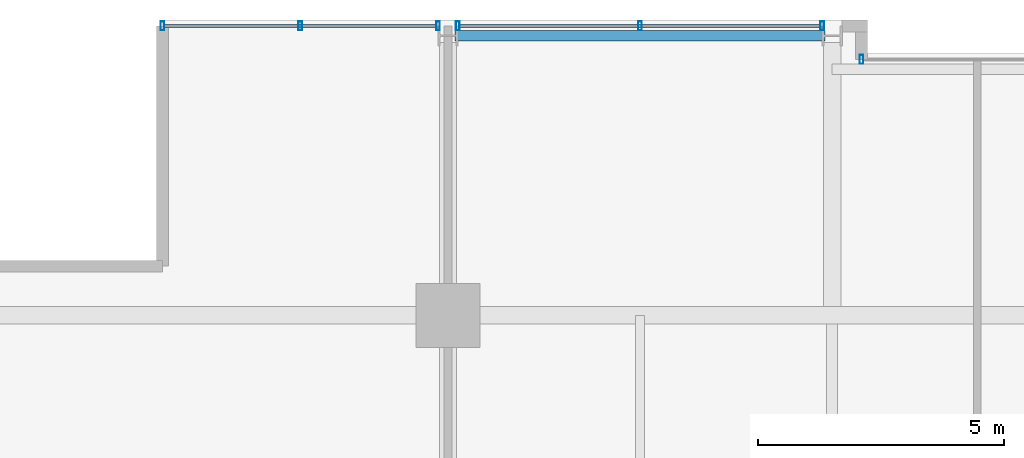
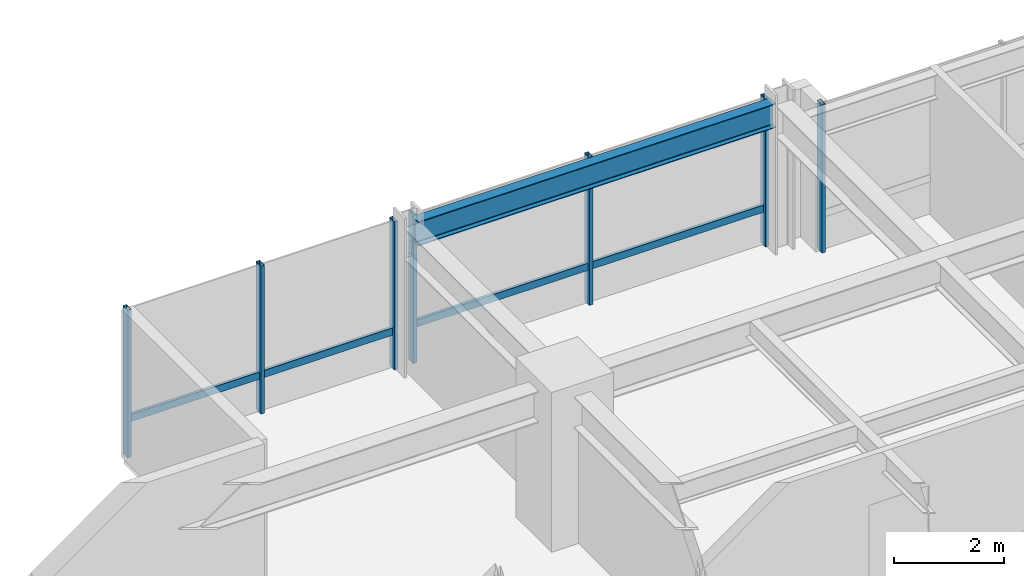
# One storey, part 21 of 33: 9 members, 1 beam, 3 elements without a shape of their own.
"""IFC4 building model written with IfcOpenShell, lengths in metres."""

from ifc_helpers import new_model, si_unit, direction, frame, origin, origin_2d, place, context, subcontext, project, spatial, hollow_rectangle, i_section, extrude, material, layer, layer_set, material_profile, profile_set, type_object, element, aggregate, save


model = new_model("IFC4")

# Units and contexts
model_context = context("Model", 3, precision=1e-05, world=origin(), true_north=direction((0.0, 1.0)))
body_context = subcontext(model_context, "Body", "Model", "MODEL_VIEW")
ifc_project = project(units=[si_unit("LENGTHUNIT", "METRE"), si_unit("AREAUNIT", "SQUARE_METRE"), si_unit("VOLUMEUNIT", "CUBIC_METRE"), si_unit("PLANEANGLEUNIT", "RADIAN"), si_unit("MASSUNIT", "GRAM", prefix="KILO")], contexts=[model_context])

# Site, building, storey
site_placement = place(None, origin())
site = spatial("IfcSite", under=ifc_project, at=site_placement, CompositionType="ELEMENT")
building_placement = place(site_placement, origin())
building = spatial("IfcBuilding", under=site, at=building_placement, Name="Drelvath Grand Hotel", CompositionType="ELEMENT")
storey_placement = place(building_placement, frame((0.0, 0.0, 168.14990234375)))
storey = spatial("IfcBuildingStorey", under=building, at=storey_placement, Name="L43", CompositionType="ELEMENT", Elevation=168.14990234375)

# Curtain wall, member
ifc_material_1 = material(Name="Brushed Pale-Silver Anodised Aluminium Frame", Category="aluminium")
ifc_layer = layer(ifc_material_1, 0.199951171875)
ifc_layer_set = layer_set([ifc_layer], Name="Brushed Pale-Silver Anodised Aluminium Frame")
curtain_wall_type = type_object("IfcCurtainWallType", Name="Stick Curtain Wall CW-04 Brushed Silver Upper-Mid", PredefinedType="NOTDEFINED", material=ifc_layer_set)
curtain_wall_1_placement = place(storey_placement, origin())
curtain_wall_1 = element("IfcCurtainWall", 1, at=curtain_wall_1_placement, inside=storey, type_object=curtain_wall_type, Name="L43 CW-04 Curtain Wall CW04-L43-NW1", PredefinedType="NOTDEFINED")
ifc_material_profile_1 = material_profile(ifc_material_1, hollow_rectangle(XDim=0.06494140625, YDim=0.159912109375, WallThickness=0.00390625, at=origin_2d()), Name="HSS160X65X4")
ifc_profile_set_1 = profile_set([ifc_material_profile_1], Name="Brushed Pale-Silver Anodised Aluminium Frame")
member_type_1 = type_object("IfcMemberType", Name="Curtain Wall Horizontal Transom CW-04 HSS160X65X4", PredefinedType="USERDEFINED", material=ifc_profile_set_1)
member_1_placement = place(storey_placement, frame((-21.9599609375, 49.080078125, 0.822509765625), z_axis=(1.0, 0.0, 0.0), x_axis=(0.0, 1.0, 0.0)))
member_1 = element("IfcMember", 2, at=member_1_placement, type_object=member_type_1, Name="CW04-L43-NW1 Sill Transom", ObjectType="TRANSOM", PredefinedType="USERDEFINED", context=body_context, shape_type="SweptSolid", body=[
    extrude(hollow_rectangle(XDim=0.06494140625, YDim=0.159912109375, WallThickness=0.00390625, at=origin_2d()), origin(), (0.0, 0.0, 1.0), 5.519775390625),
])

curtain_wall_2_placement = place(storey_placement, origin())
curtain_wall_2 = element("IfcCurtainWall", 3, at=curtain_wall_2_placement, inside=storey, type_object=curtain_wall_type, Name="L43 CW-04 Curtain Wall CW04-L43-NW2", PredefinedType="NOTDEFINED")
member_2_placement = place(storey_placement, frame((-15.9599609375, 49.080078125, 0.822509765625), z_axis=(1.0, 0.0, 0.0), x_axis=(0.0, 1.0, 0.0)))
member_2 = element("IfcMember", 4, at=member_2_placement, type_object=member_type_1, Name="CW04-L43-NW2 Sill Transom", ObjectType="TRANSOM", PredefinedType="USERDEFINED", context=body_context, shape_type="SweptSolid", body=[
    extrude(hollow_rectangle(XDim=0.06494140625, YDim=0.159912109375, WallThickness=0.00390625, at=origin_2d()), origin(), (0.0, 0.0, 1.0), 7.31982421875),
])

# Member
ifc_material_profile_2 = material_profile(ifc_material_1, hollow_rectangle(XDim=0.074951171875, YDim=0.179931640625, WallThickness=0.0048828125, at=origin_2d()), Name="HSS180X75X5")
ifc_profile_set_2 = profile_set([ifc_material_profile_2], Name="Brushed Pale-Silver Anodised Aluminium Frame")
member_type_2 = type_object("IfcMemberType", Name="Curtain Wall Vertical Mullion CW-04 HSS180X75X5", PredefinedType="MULLION", material=ifc_profile_set_2)
member_3_placement = place(storey_placement, frame((-22.0, 49.080078125, 0.0), z_axis=(0.0, 0.0, 1.0), x_axis=(1.0, 0.0, 0.0)))
member_3 = element("IfcMember", 5, at=member_3_placement, type_object=member_type_2, Name="CW04-L43-NW1 Mullion 1", PredefinedType="MULLION", context=body_context, shape_type="SweptSolid", body=[
    extrude(hollow_rectangle(XDim=0.074951171875, YDim=0.179931640625, WallThickness=0.0048828125, at=origin_2d()), origin(), (0.0, 0.0, 1.0), 3.2900390625),
])

member_4_placement = place(storey_placement, frame((-19.199951171875, 49.080078125, 0.0), z_axis=(0.0, 0.0, 1.0), x_axis=(1.0, 0.0, 0.0)))
member_4 = element("IfcMember", 6, at=member_4_placement, type_object=member_type_2, Name="CW04-L43-NW1 Mullion 2", PredefinedType="MULLION", context=body_context, shape_type="SweptSolid", body=[
    extrude(hollow_rectangle(XDim=0.074951171875, YDim=0.179931640625, WallThickness=0.0048828125, at=origin_2d()), origin(), (0.0, 0.0, 1.0), 3.2900390625),
])

member_5_placement = place(storey_placement, frame((-16.400146484375, 49.080078125, 0.0), z_axis=(0.0, 0.0, 1.0), x_axis=(1.0, 0.0, 0.0)))
member_5 = element("IfcMember", 7, at=member_5_placement, type_object=member_type_2, Name="CW04-L43-NW1 Mullion 3", PredefinedType="MULLION", context=body_context, shape_type="SweptSolid", body=[
    extrude(hollow_rectangle(XDim=0.074951171875, YDim=0.179931640625, WallThickness=0.0048828125, at=origin_2d()), origin(), (0.0, 0.0, 1.0), 3.2900390625),
])

aggregate(curtain_wall_1, [member_3, member_4, member_5, member_1])

member_6_placement = place(storey_placement, frame((-16.0, 49.080078125, 0.0), z_axis=(0.0, 0.0, 1.0), x_axis=(1.0, 0.0, 0.0)))
member_6 = element("IfcMember", 8, at=member_6_placement, type_object=member_type_2, Name="CW04-L43-NW2 Mullion 1", PredefinedType="MULLION", context=body_context, shape_type="SweptSolid", body=[
    extrude(hollow_rectangle(XDim=0.074951171875, YDim=0.179931640625, WallThickness=0.0048828125, at=origin_2d()), origin(), (0.0, 0.0, 1.0), 3.2900390625),
])

member_7_placement = place(storey_placement, frame((-12.300048828125, 49.080078125, 0.0), z_axis=(0.0, 0.0, 1.0), x_axis=(1.0, 0.0, 0.0)))
member_7 = element("IfcMember", 9, at=member_7_placement, type_object=member_type_2, Name="CW04-L43-NW2 Mullion 2", PredefinedType="MULLION", context=body_context, shape_type="SweptSolid", body=[
    extrude(hollow_rectangle(XDim=0.074951171875, YDim=0.179931640625, WallThickness=0.0048828125, at=origin_2d()), origin(), (0.0, 0.0, 1.0), 3.2900390625),
])

member_8_placement = place(storey_placement, frame((-8.60009765625, 49.080078125, 0.0), z_axis=(0.0, 0.0, 1.0), x_axis=(1.0, 0.0, 0.0)))
member_8 = element("IfcMember", 10, at=member_8_placement, type_object=member_type_2, Name="CW04-L43-NW2 Mullion 3", PredefinedType="MULLION", context=body_context, shape_type="SweptSolid", body=[
    extrude(hollow_rectangle(XDim=0.074951171875, YDim=0.179931640625, WallThickness=0.0048828125, at=origin_2d()), origin(), (0.0, 0.0, 1.0), 3.2900390625),
])

aggregate(curtain_wall_2, [member_6, member_7, member_8, member_2])

# Curtain wall, member
curtain_wall_3_placement = place(storey_placement, origin())
curtain_wall_3 = element("IfcCurtainWall", 11, at=curtain_wall_3_placement, inside=storey, type_object=curtain_wall_type, Name="L43 CW-04 Curtain Wall CW04-L43-NM1", PredefinedType="NOTDEFINED")
member_9_placement = place(storey_placement, frame((-7.800048828125, 48.39990234375, 0.0), z_axis=(0.0, 0.0, 1.0), x_axis=(1.0, 0.0, 0.0)))
member_9 = element("IfcMember", 12, at=member_9_placement, type_object=member_type_2, Name="CW04-L43-NM1 Mullion 1", PredefinedType="MULLION", context=body_context, shape_type="SweptSolid", body=[
    extrude(hollow_rectangle(XDim=0.074951171875, YDim=0.179931640625, WallThickness=0.0048828125, at=origin_2d()), origin(), (0.0, 0.0, 1.0), 3.2900390625),
])
aggregate(curtain_wall_3, [member_9])

# Beam
ifc_material_2 = material(Name="Steel ASTM A992 Gr 50", Category="steel")
ifc_material_profile_3 = material_profile(ifc_material_2, i_section(OverallWidth=0.210205078125, OverallDepth=0.53662109375, WebThickness=0.010986328125, FlangeThickness=0.017333984375, FilletRadius=0.01806640625, at=origin_2d()), Name="W21X68")
ifc_profile_set_3 = profile_set([ifc_material_profile_3], Name="Steel ASTM A992 Gr 50")
beam_type = type_object("IfcBeamType", Name="Perimeter Spandrel Beam W21X68", PredefinedType="SPANDREL", material=ifc_profile_set_3)
beam_placement = place(storey_placement, frame((-16.06005859375, 48.8798828125, 3.021728515625), z_axis=(1.0, 0.0, 0.0), x_axis=(0.0, 1.0, 0.0)))
element("IfcBeam", 13, at=beam_placement, inside=storey, type_object=beam_type, Name="L43 Spandrel North W", PredefinedType="SPANDREL", context=body_context, shape_type="SweptSolid", body=[
    extrude(i_section(OverallWidth=0.210205078125, OverallDepth=0.53662109375, WebThickness=0.010986328125, FlangeThickness=0.017333984375, FilletRadius=0.01806640625, at=origin_2d()), origin(), (0.0, 0.0, 1.0), 7.52001953125),
])

save(model, "model.ifc")
